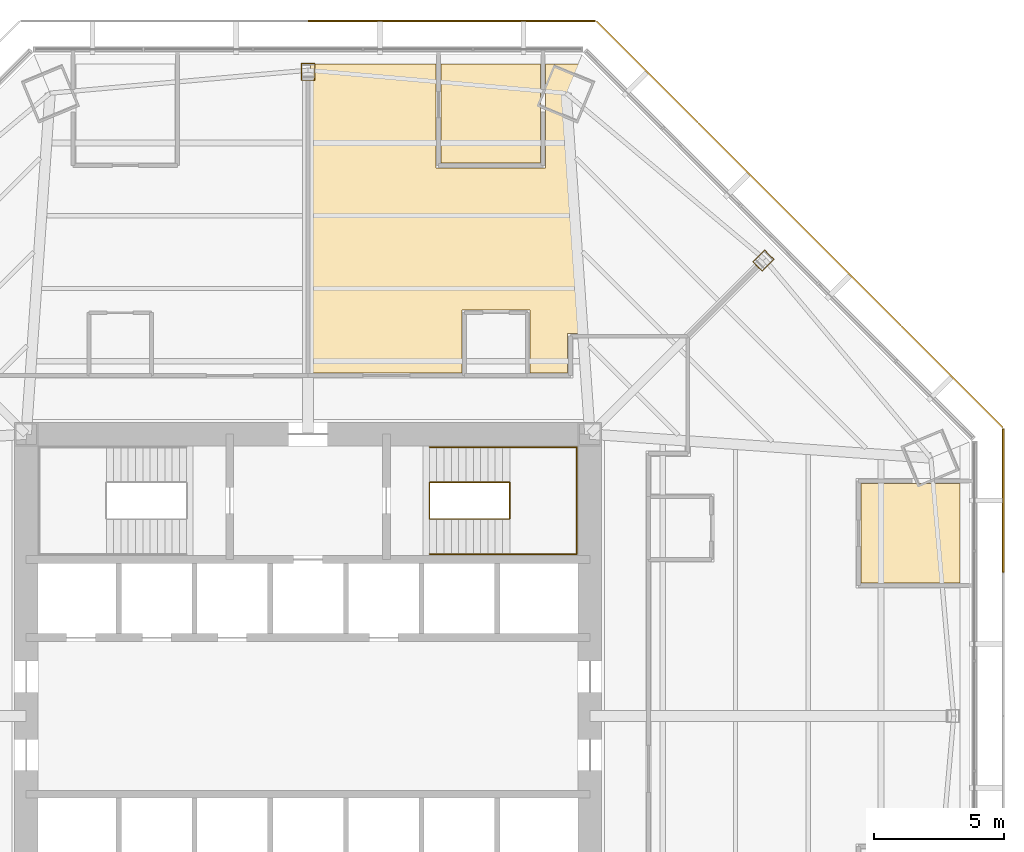
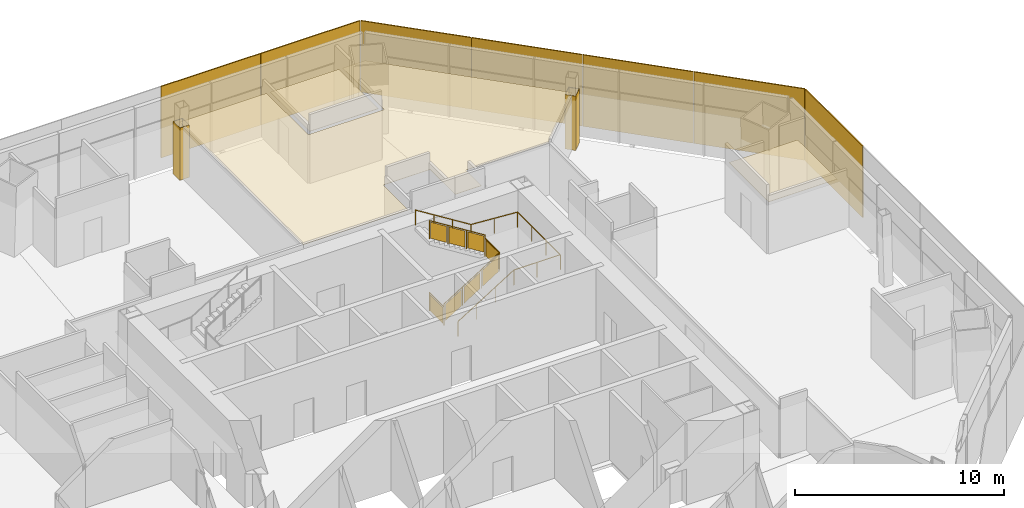
# One storey, part 16 of 17: 7 shading devices, 5 coverings, 2 railings.
"""IFC4 building model written with IfcOpenShell, lengths in metres."""

from ifc_helpers import new_model, si_unit, direction, frame, origin, origin_2d, place, context, subcontext, project, spatial, polyline, rectangle, circle, outline, extrude, source, transform, mapped, material, layer, layer_set, type_object, type_shapes, element, save


model = new_model("IFC4")

# Units and contexts
model_context = context("Model", 3, precision=1e-05, world=origin(), true_north=direction((0.0, 1.0)))
body_context = subcontext(model_context, "Body", "Model", "MODEL_VIEW")
ifc_project = project(units=[si_unit("LENGTHUNIT", "METRE"), si_unit("AREAUNIT", "SQUARE_METRE"), si_unit("VOLUMEUNIT", "CUBIC_METRE"), si_unit("PLANEANGLEUNIT", "RADIAN"), si_unit("MASSUNIT", "GRAM", prefix="KILO")], contexts=[model_context])

# Site, building, storey
site_placement = place(None, origin())
site = spatial("IfcSite", under=ifc_project, at=site_placement, CompositionType="ELEMENT")
building_placement = place(site_placement, origin())
building = spatial("IfcBuilding", under=site, at=building_placement, Name="Mashrafa Tower", CompositionType="ELEMENT")
storey_placement = place(building_placement, frame((0.0, 0.0, 87.60009765625)))
storey = spatial("IfcBuildingStorey", under=building, at=storey_placement, Name="L19", CompositionType="ELEMENT", Elevation=87.60009765625)

# Coverings
ifc_material_1 = material(Name="Gypsum board")
ifc_layer_1 = layer(ifc_material_1, 0.014892578125)
ifc_layer_set_1 = layer_set([ifc_layer_1], Name="Column casing plasterboard 15")
covering_type_1 = type_object("IfcCoveringType", Name="Column casing plasterboard 15", PredefinedType="CLADDING", material=ifc_layer_set_1)
covering_1_placement = place(storey_placement, origin())
element("IfcCovering", 1, at=covering_1_placement, inside=storey, type_object=covering_type_1, Name="Column casing L19-001", PredefinedType="CLADDING", context=body_context, shape_type="SweptSolid", body=[
    extrude(outline(polyline([(17.03271484375, 17.407470703125), (17.491455078125, 17.8662109375), (17.8662109375, 17.491455078125), (17.407470703125, 17.03271484375), (17.03271484375, 17.407470703125)]), holes=[polyline([(17.84521484375, 17.491455078125), (17.491455078125, 17.84521484375), (17.0537109375, 17.407470703125), (17.407470703125, 17.0537109375), (17.84521484375, 17.491455078125)])]), origin(), (0.0, 0.0, 1.0), 3.17919921875),
])
covering_2_placement = place(storey_placement, origin())
element("IfcCovering", 2, at=covering_2_placement, inside=storey, type_object=covering_type_1, Name="Column casing L19-002", PredefinedType="CLADDING", context=body_context, shape_type="SweptSolid", body=[
    extrude(outline(polyline([(-0.264892578125, 25.001708984375), (0.264892578125, 25.001708984375), (0.264892578125, 24.352783203125), (-0.264892578125, 24.352783203125), (-0.264892578125, 25.001708984375)]), holes=[polyline([(0.25, 24.36767578125), (0.25, 24.98681640625), (-0.25, 24.98681640625), (-0.25, 24.36767578125), (0.25, 24.36767578125)])]), origin(), (0.0, 0.0, 1.0), 3.064697265625),
])

# Railings
ifc_material_2 = material(Name="Steel guard with glass infill", Category="steel")
railing_type_1 = type_object("IfcRailingType", Name="Stair guard 1100", PredefinedType="GUARDRAIL", material=ifc_material_2)
railing_1_placement = place(storey_placement, frame((4.64990234375, 8.949951171875, 0.0)))
element("IfcRailing", 3, at=railing_1_placement, inside=storey, type_object=railing_type_1, Name="Stair S2 guard L19", PredefinedType="GUARDRAIL", context=body_context, shape_type="SweptSolid", body=[
    extrude(circle(Radius=0.02392578125, at=origin_2d()), frame((0.0, 0.0, 1.076171875), z_axis=(0.0, -1.0, 0.0), x_axis=(1.0, 0.0, 0.0)), (0.0, 0.0, 1.0), 1.39990234375),
    extrude(circle(Radius=0.02392578125, at=origin_2d()), frame((0.0, -1.39990234375, 1.076171875), z_axis=(0.0, 0.0, 1.0), x_axis=(1.0, 0.0, 0.0)), (0.0, 0.0, 1.0), 0.1748046875),
    extrude(circle(Radius=0.02392578125, at=origin_2d()), frame((0.0, -1.39990234375, 1.2509765625), z_axis=(0.847998304005, 0.0, 0.529998940003), x_axis=(0.0, 1.0, 0.0)), (0.0, 0.0, 1.0), 3.632080078125),
    extrude(circle(Radius=0.02392578125, at=origin_2d()), frame((3.080078125, -1.39990234375, 3.17578125), z_axis=(0.0, 1.0, 0.0), x_axis=(-1.0, 0.0, 0.0)), (0.0, 0.0, 1.0), 1.39990234375),
    extrude(circle(Radius=0.02392578125, at=origin_2d()), frame((3.080078125, 0.0, 3.17578125), z_axis=(0.0, 0.0, 1.0), x_axis=(1.0, 0.0, 0.0)), (0.0, 0.0, 1.0), 0.175048828125),
    extrude(circle(Radius=0.02392578125, at=origin_2d()), frame((3.080078125, 0.0, 3.35107421875), z_axis=(-0.847998304005, 0.0, 0.529998940003), x_axis=(0.0, -1.0, 0.0)), (0.0, 0.0, 1.0), 3.632080078125),
    extrude(circle(Radius=0.02099609375, at=origin_2d()), origin(), (0.0, 0.0, 1.0), 1.052001953125),
    extrude(circle(Radius=0.02099609375, at=origin_2d()), frame((0.0, -1.39990234375, 0.0)), (0.0, 0.0, 1.0), 1.052001953125),
    extrude(circle(Radius=0.02099609375, at=origin_2d()), frame((0.0, -1.39990234375, 0.1748046875)), (0.0, 0.0, 1.0), 1.052001953125),
    extrude(circle(Radius=0.02099609375, at=origin_2d()), frame((1.026611328125, -1.39990234375, 0.81640625)), (0.0, 0.0, 1.0), 1.052001953125),
    extrude(circle(Radius=0.02099609375, at=origin_2d()), frame((2.053466796875, -1.39990234375, 1.458251953125)), (0.0, 0.0, 1.0), 1.052001953125),
    extrude(circle(Radius=0.02099609375, at=origin_2d()), frame((3.080078125, -1.39990234375, 2.099853515625)), (0.0, 0.0, 1.0), 1.052001953125),
    extrude(circle(Radius=0.02099609375, at=origin_2d()), frame((3.080078125, 0.0, 2.099853515625)), (0.0, 0.0, 1.0), 1.052001953125),
    extrude(circle(Radius=0.02099609375, at=origin_2d()), frame((3.080078125, 0.0, 2.27490234375)), (0.0, 0.0, 1.0), 1.052001953125),
    extrude(circle(Radius=0.02099609375, at=origin_2d()), frame((2.053466796875, 0.0, 2.91650390625)), (0.0, 0.0, 1.0), 1.052001953125),
    extrude(circle(Radius=0.02099609375, at=origin_2d()), frame((1.026611328125, 0.0, 3.558349609375)), (0.0, 0.0, 1.0), 1.052001953125),
    extrude(circle(Radius=0.02099609375, at=origin_2d()), frame((0.0, 0.0, 4.199951171875)), (0.0, 0.0, 1.0), 1.052001953125),
    extrude(outline(polyline([(0.071044921875, 0.050048828125), (1.328857421875, 0.050048828125), (1.328857421875, 1.001953125), (0.071044921875, 1.001953125), (0.071044921875, 0.050048828125)])), frame((-0.006103515625, 0.0, 0.0), z_axis=(-1.0, 0.0, 0.0), x_axis=(0.0, -1.0, 0.0)), (0.0, 0.0, 1.0), 0.011962890625),
    extrude(outline(polyline([(0.071044921875, 0.094482421875), (0.955810546875, 0.647216796875), (0.955810546875, 1.599365234375), (0.071044921875, 1.04638671875), (0.071044921875, 0.094482421875)])), frame((0.0, -1.406005859375, 0.1748046875), z_axis=(0.0, -1.0, 0.0), x_axis=(1.0, 0.0, 0.0)), (0.0, 0.0, 1.0), 0.011962890625),
    extrude(outline(polyline([(1.09765625, 0.736083984375), (1.982421875, 1.2890625), (1.982421875, 2.240966796875), (1.09765625, 1.68798828125), (1.09765625, 0.736083984375)])), frame((0.0, -1.406005859375, 0.1748046875), z_axis=(0.0, -1.0, 0.0), x_axis=(1.0, 0.0, 0.0)), (0.0, 0.0, 1.0), 0.011962890625),
    extrude(outline(polyline([(2.124267578125, 1.377685546875), (3.009033203125, 1.9306640625), (3.009033203125, 2.882568359375), (2.124267578125, 2.329833984375), (2.124267578125, 1.377685546875)])), frame((0.0, -1.406005859375, 0.1748046875), z_axis=(0.0, -1.0, 0.0), x_axis=(1.0, 0.0, 0.0)), (0.0, 0.0, 1.0), 0.011962890625),
    extrude(outline(polyline([(0.071044921875, 0.050048828125), (1.328857421875, 0.050048828125), (1.328857421875, 1.001953125), (0.071044921875, 1.001953125), (0.071044921875, 0.050048828125)])), frame((3.086181640625, -1.39990234375, 2.099853515625), z_axis=(1.0, 0.0, 0.0), x_axis=(0.0, 1.0, 0.0)), (0.0, 0.0, 1.0), 0.011962890625),
    extrude(outline(polyline([(0.071044921875, 0.094482421875), (0.955810546875, 0.647216796875), (0.955810546875, 1.599365234375), (0.071044921875, 1.04638671875), (0.071044921875, 0.094482421875)])), frame((3.080078125, 0.006103515625, 2.27490234375), z_axis=(0.0, 1.0, 0.0), x_axis=(-1.0, 0.0, 0.0)), (0.0, 0.0, 1.0), 0.011962890625),
    extrude(outline(polyline([(1.09765625, 0.736083984375), (1.982421875, 1.2890625), (1.982421875, 2.240966796875), (1.09765625, 1.68798828125), (1.09765625, 0.736083984375)])), frame((3.080078125, 0.006103515625, 2.27490234375), z_axis=(0.0, 1.0, 0.0), x_axis=(-1.0, 0.0, 0.0)), (0.0, 0.0, 1.0), 0.011962890625),
    extrude(outline(polyline([(2.124267578125, 1.377685546875), (3.009033203125, 1.9306640625), (3.009033203125, 2.882568359375), (2.124267578125, 2.329833984375), (2.124267578125, 1.377685546875)])), frame((3.080078125, 0.006103515625, 2.27490234375), z_axis=(0.0, 1.0, 0.0), x_axis=(-1.0, 0.0, 0.0)), (0.0, 0.0, 1.0), 0.011962890625),
])
ifc_material_3 = material(Name="Steel", Category="steel")
railing_type_2 = type_object("IfcRailingType", Name="Stair handrail 900", PredefinedType="HANDRAIL", material=ifc_material_3)
railing_2_placement = place(storey_placement, frame((4.64990234375, 6.199951171875, 0.1748046875)))
element("IfcRailing", 4, at=railing_2_placement, inside=storey, type_object=railing_type_2, Name="Stair S2 handrail L19", PredefinedType="HANDRAIL", context=body_context, shape_type="SweptSolid", body=[
    extrude(circle(Radius=0.02392578125, at=origin_2d()), frame((0.0, 0.0, 0.8759765625), z_axis=(0.847998304005, 0.0, 0.529998940003), x_axis=(0.0, 1.0, 0.0)), (0.0, 0.0, 1.0), 3.632080078125),
    extrude(circle(Radius=0.02392578125, at=origin_2d()), frame((3.080078125, 0.0, 2.80078125), z_axis=(1.0, 0.0, 0.0), x_axis=(0.0, 1.0, 0.0)), (0.0, 0.0, 1.0), 2.570068359375),
    extrude(circle(Radius=0.02392578125, at=origin_2d()), frame((5.650146484375, 0.0, 2.80078125), z_axis=(0.0, 1.0, 0.0), x_axis=(-1.0, 0.0, 0.0)), (0.0, 0.0, 1.0), 4.10009765625),
    extrude(circle(Radius=0.02392578125, at=origin_2d()), frame((5.650146484375, 4.10009765625, 2.80078125), z_axis=(-0.997688514158, 0.0, 0.067953136188), x_axis=(0.0, -1.0, 0.0)), (0.0, 0.0, 1.0), 2.575927734375),
    extrude(circle(Radius=0.02392578125, at=origin_2d()), frame((3.080078125, 4.10009765625, 2.97607421875), z_axis=(-0.847998304005, 0.0, 0.529998940003), x_axis=(0.0, -1.0, 0.0)), (0.0, 0.0, 1.0), 3.632080078125),
    extrude(circle(Radius=0.02099609375, at=origin_2d()), origin(), (0.0, 0.0, 1.0), 0.851806640625),
    extrude(circle(Radius=0.02099609375, at=origin_2d()), frame((1.026611328125, 0.0, 0.6416015625)), (0.0, 0.0, 1.0), 0.851806640625),
    extrude(circle(Radius=0.02099609375, at=origin_2d()), frame((2.053466796875, 0.0, 1.283447265625)), (0.0, 0.0, 1.0), 0.851806640625),
    extrude(circle(Radius=0.02099609375, at=origin_2d()), frame((3.080078125, 0.0, 1.925048828125)), (0.0, 0.0, 1.0), 0.851806640625),
    extrude(circle(Radius=0.02099609375, at=origin_2d()), frame((4.365234375, 0.0, 1.925048828125)), (0.0, 0.0, 1.0), 0.851806640625),
    extrude(circle(Radius=0.02099609375, at=origin_2d()), frame((5.650146484375, 0.0, 1.925048828125)), (0.0, 0.0, 1.0), 0.851806640625),
    extrude(circle(Radius=0.02099609375, at=origin_2d()), frame((5.650146484375, 1.36669921875, 1.925048828125)), (0.0, 0.0, 1.0), 0.851806640625),
    extrude(circle(Radius=0.02099609375, at=origin_2d()), frame((5.650146484375, 2.7333984375, 1.925048828125)), (0.0, 0.0, 1.0), 0.851806640625),
    extrude(circle(Radius=0.02099609375, at=origin_2d()), frame((5.650146484375, 4.10009765625, 1.925048828125)), (0.0, 0.0, 1.0), 0.851806640625),
    extrude(circle(Radius=0.02099609375, at=origin_2d()), frame((4.365234375, 4.10009765625, 2.0126953125)), (0.0, 0.0, 1.0), 0.851806640625),
    extrude(circle(Radius=0.02099609375, at=origin_2d()), frame((3.080078125, 4.10009765625, 2.10009765625)), (0.0, 0.0, 1.0), 0.851806640625),
    extrude(circle(Radius=0.02099609375, at=origin_2d()), frame((2.053466796875, 4.10009765625, 2.74169921875)), (0.0, 0.0, 1.0), 0.851806640625),
    extrude(circle(Radius=0.02099609375, at=origin_2d()), frame((1.026611328125, 4.10009765625, 3.383544921875)), (0.0, 0.0, 1.0), 0.851806640625),
    extrude(circle(Radius=0.02099609375, at=origin_2d()), frame((0.0, 4.10009765625, 4.025146484375)), (0.0, 0.0, 1.0), 0.851806640625),
])

# Coverings
ifc_material_4 = material(Name="Mineral fibre tile on suspension grid")
ifc_layer_2 = layer(ifc_material_4, 0.014892578125)
ifc_layer_set_2 = layer_set([ifc_layer_2], Name="Suspended ceiling mineral tile 15")
covering_type_2 = type_object("IfcCoveringType", Name="Suspended ceiling mineral tile 15", PredefinedType="CEILING", material=ifc_layer_set_2)
covering_3_placement = place(storey_placement, frame((0.0, 0.0, 2.89990234375)))
element("IfcCovering", 5, at=covering_3_placement, inside=storey, type_object=covering_type_2, Name="Ceiling Manager's Office 19-NE", PredefinedType="CEILING", context=body_context, shape_type="SweptSolid", body=[
    extrude(outline(polyline([(5.10009765625, 24.986572265625), (8.89990234375, 24.986572265625), (8.89990234375, 21.1865234375), (5.10009765625, 21.1865234375), (5.10009765625, 24.986572265625)])), origin(), (0.0, 0.0, 1.0), 0.014892578125),
])
covering_4_placement = place(storey_placement, frame((0.0, 0.0, 2.89990234375)))
element("IfcCovering", 6, at=covering_4_placement, inside=storey, type_object=covering_type_2, Name="Ceiling Meeting Room 19-E", PredefinedType="CEILING", context=body_context, shape_type="SweptSolid", body=[
    extrude(outline(polyline([(21.1865234375, 8.89990234375), (24.986572265625, 8.89990234375), (24.986572265625, 5.10009765625), (21.1865234375, 5.10009765625), (21.1865234375, 8.89990234375)])), origin(), (0.0, 0.0, 1.0), 0.014892578125),
])
covering_5_placement = place(storey_placement, frame((0.0, 0.0, 2.89990234375)))
element("IfcCovering", 7, at=covering_5_placement, inside=storey, type_object=covering_type_2, Name="Ceiling Office Suite 19-NE", PredefinedType="CEILING", context=body_context, shape_type="SweptSolid", body=[
    extrude(outline(polyline([(0.10009765625, 24.986572265625), (4.89990234375, 24.986572265625), (4.89990234375, 20.986572265625), (9.10009765625, 20.986572265625), (9.10009765625, 24.986572265625), (10.349853515625, 24.986572265625), (17.597412109375, 17.739013671875), (14.508544921875, 14.64990234375), (9.949951171875, 14.64990234375), (9.949951171875, 13.14990234375), (8.5, 13.14990234375), (8.5, 15.550048828125), (5.89990234375, 15.550048828125), (5.89990234375, 13.14990234375), (0.10009765625, 13.14990234375), (0.10009765625, 24.986572265625)])), origin(), (0.0, 0.0, 1.0), 0.014892578125),
])

# Shading devices
ifc_material_5 = material(Name="Perforated aluminium plate, eight-point star pattern", Category="aluminium")
ifc_layer_3 = layer(ifc_material_5, 0.06005859375)
ifc_layer_set_3 = layer_set([ifc_layer_3], Name="Mashrabiya screen panel office zone 1, 45 percent open")
shading_device_type = type_object("IfcShadingDeviceType", Name="Mashrabiya screen panel office zone 1, 45 percent open", PredefinedType="SHUTTER", material=ifc_layer_set_3)
shared_shape = source(origin(), body_context, "Body", "SweptSolid", [
    extrude(rectangle(XDim=5.4853515625, YDim=0.06005859375, at=origin_2d()), origin(), (0.0, 0.0, 1.0), 4.179931640625),
])
type_shapes(shading_device_type, [shared_shape])
for number, where, z_axis, x_axis, name in (
    (8, (26.63671875, 8.258056640625, -0.14990234375), (0.0, 0.0, 1.0), (0.0, 1.0, 0.0), "Mashrabiya screen L19 east 4"),
    (9, (24.67431640625, 12.99560546875, -0.14990234375), (0.0, 0.0, 1.0), (-0.707106781187, 0.707106781187, 0.0), "Mashrabiya screen L19 north-east 1"),
    (10, (20.781494140625, 16.888427734375, -0.14990234375), (0.0, 0.0, 1.0), (-0.707106781187, 0.707106781187, 0.0), "Mashrabiya screen L19 north-east 2"),
    (11, (16.888427734375, 20.781494140625, -0.14990234375), (0.0, 0.0, 1.0), (-0.707106781187, 0.707106781187, 0.0), "Mashrabiya screen L19 north-east 3"),
    (12, (12.99560546875, 24.67431640625, -0.14990234375), (0.0, 0.0, 1.0), (-0.707106781187, 0.707106781187, 0.0), "Mashrabiya screen L19 north-east 4"),
    (13, (8.258056640625, 26.63671875, -0.14990234375), (0.0, 0.0, 1.0), (-1.0, 0.0, 0.0), "Mashrabiya screen L19 north 1"),
    (14, (2.752685546875, 26.63671875, -0.14990234375), (0.0, 0.0, 1.0), (-1.0, 0.0, 0.0), "Mashrabiya screen L19 north 2"),
):
    element("IfcShadingDevice", number, at=place(storey_placement, frame(where, z_axis=z_axis, x_axis=x_axis)), inside=storey, type_object=shading_device_type, Name=name, PredefinedType="SHUTTER", context=body_context, shape_type="MappedRepresentation", body=[
        mapped(shared_shape, transform((0.0, 0.0, 0.0))),
    ])

save(model, "model.ifc")
